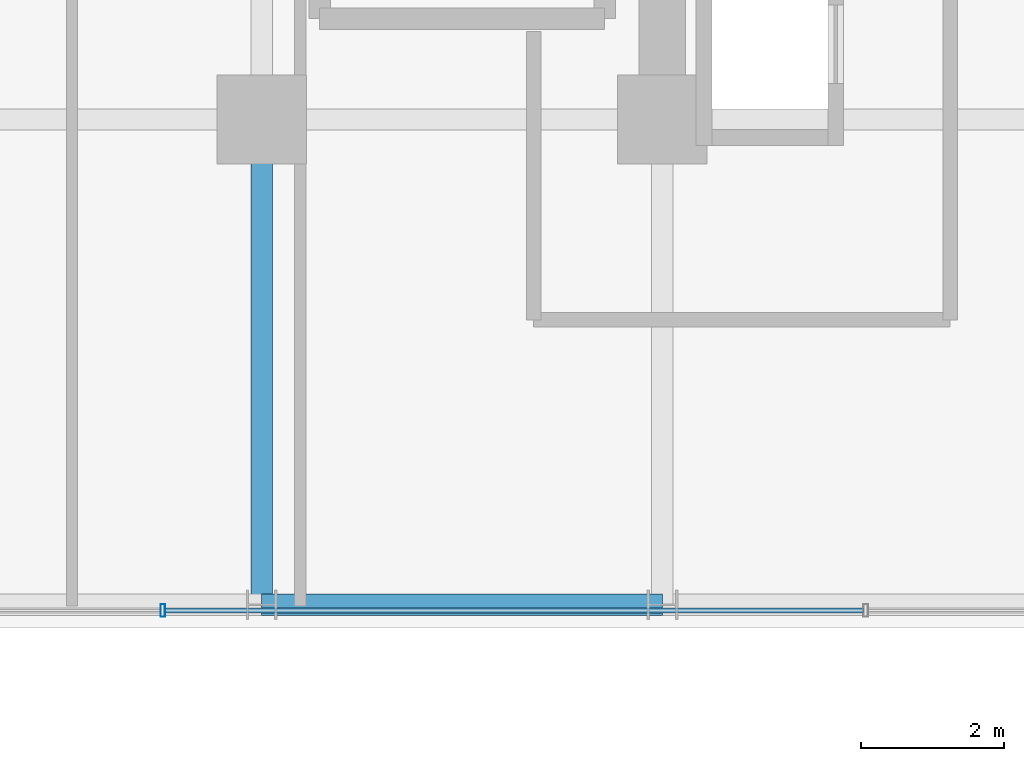
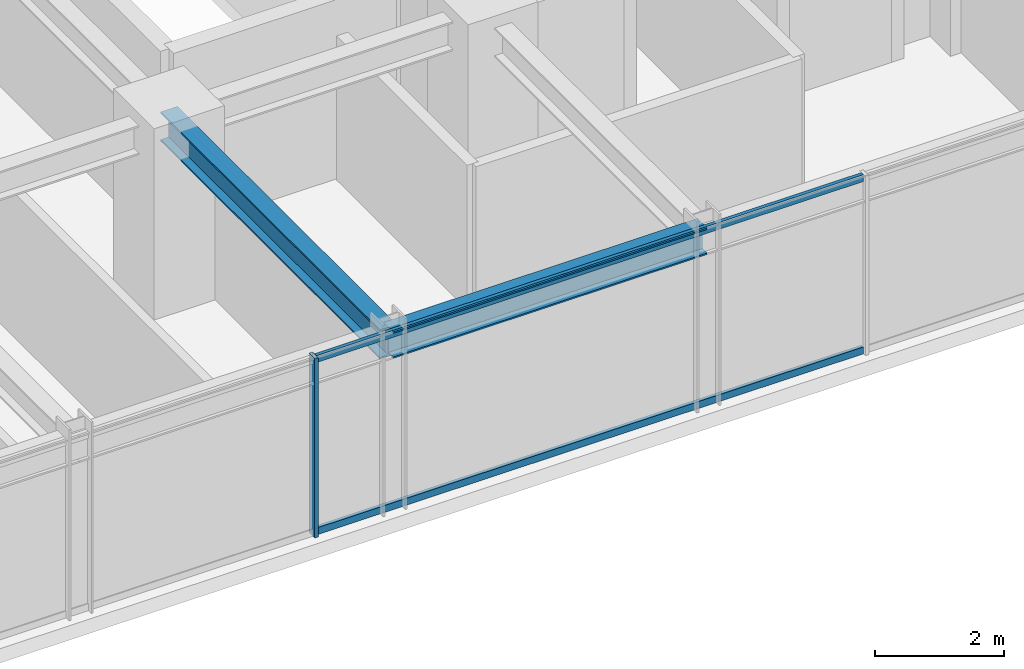
# One storey, part 5 of 32: 3 members, 2 beams, 1 element without a shape of its own.
"""IFC4 building model written with IfcOpenShell, lengths in metres."""

from ifc_helpers import new_model, si_unit, direction, frame, origin, origin_2d, place, context, subcontext, project, spatial, hollow_rectangle, i_section, extrude, source, transform, mapped, material, material_profile, profile_set, type_object, element, aggregate, save


model = new_model("IFC4")

# Units and contexts
model_context = context("Model", 3, precision=1e-05, world=origin(), true_north=direction((0.0, 1.0)))
body_context = subcontext(model_context, "Body", "Model", "MODEL_VIEW")
ifc_project = project(units=[si_unit("LENGTHUNIT", "METRE"), si_unit("AREAUNIT", "SQUARE_METRE"), si_unit("VOLUMEUNIT", "CUBIC_METRE"), si_unit("PLANEANGLEUNIT", "RADIAN"), si_unit("MASSUNIT", "GRAM", prefix="KILO")], contexts=[model_context])

# Site, building, storey
site_placement = place(None, origin())
site = spatial("IfcSite", under=ifc_project, at=site_placement, CompositionType="ELEMENT")
building_placement = place(site_placement, origin())
building = spatial("IfcBuilding", under=site, at=building_placement, Name="Nahalor Promenade Grand Hotel", CompositionType="ELEMENT")
storey_placement = place(building_placement, frame((0.0, 0.0, 102.89990234375)))
storey = spatial("IfcBuildingStorey", under=building, at=storey_placement, Name="L25", CompositionType="ELEMENT", Elevation=102.89990234375)

# Beams
ifc_material_1 = material(Name="Steel S355JR", Category="steel")
ifc_material_profile_1 = material_profile(ifc_material_1, i_section(OverallWidth=0.3, OverallDepth=0.5, WebThickness=0.0145, FlangeThickness=0.028, at=origin_2d()), Name="HEB 500")
ifc_profile_set_1 = profile_set([ifc_material_profile_1], Name="Steel S355JR")
beam_type_1 = type_object("IfcBeamType", Name="Beam-Spandrel-HEB500", PredefinedType="SPANDREL", material=ifc_profile_set_1)
shared_shape_1 = source(origin(), body_context, "Body", "SweptSolid", [
    extrude(i_section(OverallWidth=0.3, OverallDepth=0.5, WebThickness=0.0145, FlangeThickness=0.028, at=origin_2d()), origin(), (0.0, 0.0, 1.0), 5.599853515625),
])
beam_1_placement = place(storey_placement, frame((2.800048828125, -23.780029296875, 3.130126953125), z_axis=(1.0, 0.0, 0.0), x_axis=(0.0, 1.0, 0.0)))
element("IfcBeam", 1, at=beam_1_placement, inside=storey, type_object=beam_type_1, Name="BM-L25-SP-S-3", PredefinedType="SPANDREL", context=body_context, shape_type="MappedRepresentation", body=[
    mapped(shared_shape_1, transform((0.0, 0.0, 0.0), scale=1.0)),
])
ifc_material_profile_2 = material_profile(ifc_material_1, i_section(OverallWidth=0.3, OverallDepth=0.55, WebThickness=0.015, FlangeThickness=0.029, at=origin_2d()), Name="HEB 550")
ifc_profile_set_2 = profile_set([ifc_material_profile_2], Name="Steel S355JR")
beam_type_2 = type_object("IfcBeamType", Name="Beam-Girder-HEB550", PredefinedType="BEAM", material=ifc_profile_set_2)
shared_shape_2 = source(origin(), body_context, "Body", "SweptSolid", [
    extrude(i_section(OverallWidth=0.3, OverallDepth=0.55, WebThickness=0.015, FlangeThickness=0.029, at=origin_2d()), origin(), (0.0, 0.0, 1.0), 6.780029296875),
])
beam_2_placement = place(storey_placement, frame((2.800048828125, -23.780029296875, 3.10498046875), z_axis=(0.0, 1.0, 0.0), x_axis=(-1.0, 0.0, 0.0)))
element("IfcBeam", 2, at=beam_2_placement, inside=storey, type_object=beam_type_2, Name="BM-L25-GY-3-0", PredefinedType="BEAM", context=body_context, shape_type="MappedRepresentation", body=[
    mapped(shared_shape_2, transform((0.0, 0.0, 0.0), scale=1.0)),
])

# Curtain wall, members
ifc_material_2 = material(Name="Anodised Bronze Aluminium EN AW-6063 T6", Category="aluminium")
curtain_wall_type = type_object("IfcCurtainWallType", Name="CW2 Typical Hotel Flush Bronze Unitised Curtain Wall", PredefinedType="USERDEFINED", material=ifc_material_2)
curtain_wall_placement = place(storey_placement, origin())
curtain_wall = element("IfcCurtainWall", 3, at=curtain_wall_placement, inside=storey, type_object=curtain_wall_type, Name="L25 Curtain Wall CW-L25-S-3", ObjectType="UNITISED_CURTAIN_WALL", PredefinedType="USERDEFINED")
ifc_material_profile_3 = material_profile(ifc_material_2, hollow_rectangle(XDim=0.065, YDim=0.13, WallThickness=0.004, at=origin_2d()), Name="CWT 65x130x4")
ifc_profile_set_3 = profile_set([ifc_material_profile_3], Name="Anodised Bronze Aluminium EN AW-6063 T6")
member_type_1 = type_object("IfcMemberType", Name="CWT2 Typical Bronze Transom 65x130", PredefinedType="USERDEFINED", material=ifc_profile_set_3)
shared_shape_3 = source(origin(), body_context, "Body", "SweptSolid", [
    extrude(hollow_rectangle(XDim=0.065, YDim=0.13, WallThickness=0.004, at=origin_2d()), origin(), (0.0, 0.0, 1.0), 9.755126953125),
])
member_1_placement = place(storey_placement, frame((1.452392578125, -23.860107421875, 0.065185546875), z_axis=(1.0, 0.0, 0.0), x_axis=(0.0, 1.0, 0.0)))
member_1 = element("IfcMember", 4, at=member_1_placement, type_object=member_type_1, Name="CW-L25-S-3 Transom 1-0", ObjectType="TRANSOM", PredefinedType="USERDEFINED", context=body_context, shape_type="MappedRepresentation", body=[
    mapped(shared_shape_3, transform((0.0, 0.0, 0.0), scale=1.0)),
])
member_2_placement = place(storey_placement, frame((1.452392578125, -23.860107421875, 3.315185546875), z_axis=(1.0, 0.0, 0.0), x_axis=(0.0, 1.0, 0.0)))
member_2 = element("IfcMember", 5, at=member_2_placement, type_object=member_type_1, Name="CW-L25-S-3 Transom 1-1", ObjectType="TRANSOM", PredefinedType="USERDEFINED", context=body_context, shape_type="MappedRepresentation", body=[
    mapped(shared_shape_3, transform((0.0, 0.0, 0.0), scale=1.0)),
])
ifc_material_profile_4 = material_profile(ifc_material_2, hollow_rectangle(XDim=0.065, YDim=0.18, WallThickness=0.004, at=origin_2d()), Name="CWM 65x180x4")
ifc_profile_set_4 = profile_set([ifc_material_profile_4], Name="Anodised Bronze Aluminium EN AW-6063 T6")
member_type_2 = type_object("IfcMemberType", Name="CWM2 Typical Bronze Mullion 65x180", PredefinedType="MULLION", material=ifc_profile_set_4)
shared_shape_4 = source(origin(), body_context, "Body", "SweptSolid", [
    extrude(hollow_rectangle(XDim=0.065, YDim=0.18, WallThickness=0.004, at=origin_2d()), origin(), (0.0, 0.0, 1.0), 3.380126953125),
])
member_3_placement = place(storey_placement, frame((1.419921875, -23.860107421875, 0.0), z_axis=(0.0, 0.0, 1.0), x_axis=(1.0, 0.0, 0.0)))
member_3 = element("IfcMember", 6, at=member_3_placement, type_object=member_type_2, Name="CW-L25-S-3 Mullion 1", PredefinedType="MULLION", context=body_context, shape_type="MappedRepresentation", body=[
    mapped(shared_shape_4, transform((0.0, 0.0, 0.0), scale=1.0)),
])
aggregate(curtain_wall, [member_3, member_1, member_2])

save(model, "model.ifc")
